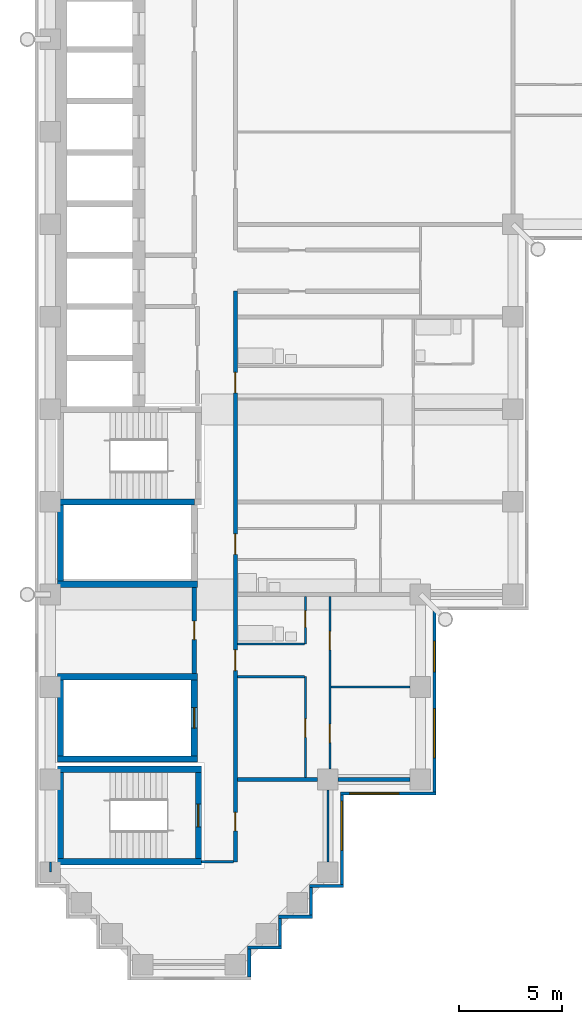
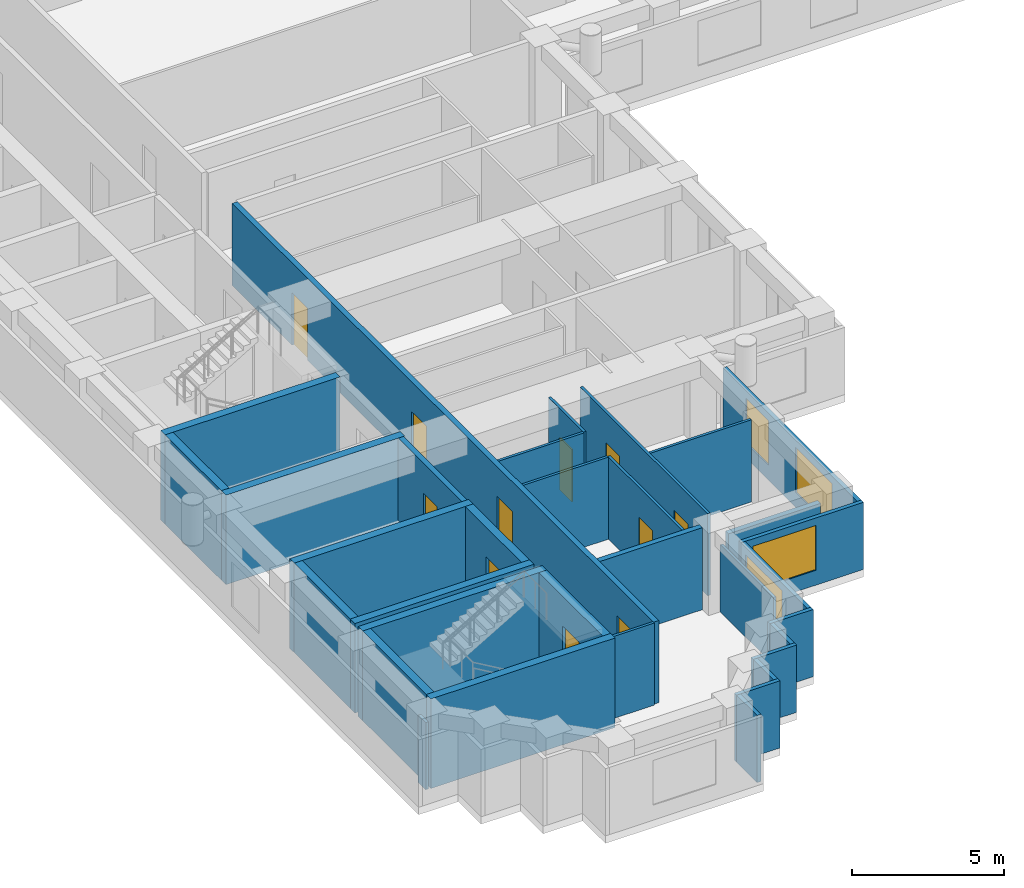
# One storey, part 4 of 14: 33 walls, 11 doors, 4 windows, 15 openings.
"""IFC4 building model written with IfcOpenShell, lengths in metres."""

from ifc_helpers import new_model, si_unit, direction, frame, frame_2d, origin, place, context, subcontext, project, spatial, rectangle, extrude, material, layer, layer_set, type_object, element, fill, save


model = new_model("IFC4")

# Units and contexts
model_context = context("Model", 3, precision=1e-05, world=origin(), true_north=direction((0.0, 1.0)))
body_context = subcontext(model_context, "Body", "Model", "MODEL_VIEW")
ifc_project = project(units=[si_unit("LENGTHUNIT", "METRE"), si_unit("AREAUNIT", "SQUARE_METRE"), si_unit("VOLUMEUNIT", "CUBIC_METRE"), si_unit("PLANEANGLEUNIT", "RADIAN"), si_unit("MASSUNIT", "GRAM", prefix="KILO")], contexts=[model_context])

# Site, building, storey
site_placement = place(None, origin())
site = spatial("IfcSite", under=ifc_project, at=site_placement, CompositionType="ELEMENT")
building_placement = place(site_placement, origin())
building = spatial("IfcBuilding", under=site, at=building_placement, Name="Firuza Court", CompositionType="ELEMENT")
storey_placement = place(building_placement, frame((0.0, 0.0, 159.199951171875)))
storey = spatial("IfcBuildingStorey", under=building, at=storey_placement, Name="L40", CompositionType="ELEMENT", Elevation=159.199951171875)

# Walls
ifc_material_1 = material(Name="Moisture-resistant gypsum board partition")
ifc_layer_1 = layer(ifc_material_1, 0.10009765625)
ifc_layer_set_1 = layer_set([ifc_layer_1], Name="Moisture-resistant gypsum board partition")
wall_type_1 = type_object("IfcWallType", Name="Bathroom partition 100", PredefinedType="PLUMBINGWALL", material=ifc_layer_set_1)
wall_1_placement = place(storey_placement, frame((9.10009765625, 15.60009765625, 0.0), z_axis=(0.0, 0.0, 1.0), x_axis=(1.0, 0.0, 0.0)))
element("IfcWall", 1, at=wall_1_placement, inside=storey, type_object=wall_type_1, Name="Bathroom partition 100 L40", PredefinedType="PLUMBINGWALL", context=body_context, shape_type="SweptSolid", body=[
    extrude(rectangle(XDim=3.25, YDim=0.10009765625, at=frame_2d((1.625, 0.0))), origin(), (0.0, 0.0, 1.0), 3.300048828125),
])
ifc_material_2 = material(Name="Concrete C60/75", Category="concrete")
ifc_layer_2 = layer(ifc_material_2, 0.300048828125)
ifc_layer_set_2 = layer_set([ifc_layer_2], Name="Concrete C60/75")
wall_type_2 = type_object("IfcWallType", Name="Core wall 300 C60/75", PredefinedType="SHEAR", material=ifc_layer_set_2)
for number, where, z_axis, x_axis, name in (
    (2, (0.35009765625, 5.0, -0.300048828125), (0.0, 0.0, 1.0), (1.0, 0.0, 0.0), "Core wall stair L40"),
    (3, (0.35009765625, 9.5, -0.300048828125), (0.0, 0.0, 1.0), (1.0, 0.0, 0.0), "Core wall stair L40"),
):
    element("IfcWall", number, at=place(storey_placement, frame(where, z_axis=z_axis, x_axis=x_axis)), inside=storey, type_object=wall_type_2, Name=name, PredefinedType="SHEAR", context=body_context, shape_type="SweptSolid", body=[
        extrude(rectangle(XDim=7.0, YDim=0.300048828125, at=frame_2d((3.5, 0.0))), origin(), (0.0, 0.0, 1.0), 3.60009765625),
    ])
for number, where, z_axis, x_axis, name in (
    (4, (0.35009765625, 10.0, -0.300048828125), (0.0, 0.0, 1.0), (1.0, 0.0, 0.0), "Core wall riser L40"),
    (5, (0.35009765625, 14.0, -0.300048828125), (0.0, 0.0, 1.0), (1.0, 0.0, 0.0), "Core wall riser L40"),
    (6, (0.35009765625, 18.5, -0.300048828125), (0.0, 0.0, 1.0), (1.0, 0.0, 0.0), "Core wall riser L40"),
):
    element("IfcWall", number, at=place(storey_placement, frame(where, z_axis=z_axis, x_axis=x_axis)), inside=storey, type_object=wall_type_2, Name=name, PredefinedType="SHEAR", context=body_context, shape_type="SweptSolid", body=[
        extrude(rectangle(XDim=6.7998046875, YDim=0.300048828125, at=frame_2d((3.39990234375, 0.0))), origin(), (0.0, 0.0, 1.0), 3.60009765625),
    ])
wall_2_placement = place(storey_placement, frame((0.35009765625, 22.5, -0.300048828125), z_axis=(0.0, 0.0, 1.0), x_axis=(1.0, 0.0, 0.0)))
element("IfcWall", 7, at=wall_2_placement, inside=storey, type_object=wall_type_2, Name="Core wall riser L40", PredefinedType="SHEAR", context=body_context, shape_type="SweptSolid", body=[
    extrude(rectangle(XDim=6.64990234375, YDim=0.300048828125, at=frame_2d((3.324951171875, 0.0))), origin(), (0.0, 0.0, 1.0), 3.60009765625),
])
wall_3_placement = place(storey_placement, frame((0.5, 5.14990234375, -0.300048828125), z_axis=(0.0, 0.0, 1.0), x_axis=(0.0, 1.0, 0.0)))
element("IfcWall", 8, at=wall_3_placement, inside=storey, type_object=wall_type_2, Name="Core wall stair L40", PredefinedType="SHEAR", context=body_context, shape_type="SweptSolid", body=[
    extrude(rectangle(XDim=4.2001953125, YDim=0.300048828125, at=frame_2d((2.10009765625, 0.0))), origin(), (0.0, 0.0, 1.0), 3.60009765625),
])
for number, where, z_axis, x_axis, name in (
    (9, (0.5, 10.14990234375, -0.300048828125), (0.0, 0.0, 1.0), (0.0, 1.0, 0.0), "Core wall riser L40"),
    (10, (0.5, 18.64990234375, -0.300048828125), (0.0, 0.0, 1.0), (0.0, 1.0, 0.0), "Core wall riser L40"),
):
    element("IfcWall", number, at=place(storey_placement, frame(where, z_axis=z_axis, x_axis=x_axis)), inside=storey, type_object=wall_type_2, Name=name, PredefinedType="SHEAR", context=body_context, shape_type="SweptSolid", body=[
        extrude(rectangle(XDim=3.7001953125, YDim=0.300048828125, at=frame_2d((1.85009765625, 0.0))), origin(), (0.0, 0.0, 1.0), 3.60009765625),
    ])

# Wall, opening, door
wall_4_placement = place(storey_placement, frame((7.0, 10.14990234375, -0.300048828125), z_axis=(0.0, 0.0, 1.0), x_axis=(0.0, 1.0, 0.0)))
wall_4 = element("IfcWall", 11, at=wall_4_placement, inside=storey, type_object=wall_type_2, Name="Core wall riser L40", PredefinedType="SHEAR", context=body_context, shape_type="SweptSolid", body=[
    extrude(rectangle(XDim=3.7001953125, YDim=0.300048828125, at=frame_2d((1.85009765625, 0.0))), origin(), (0.0, 0.0, 1.0), 3.60009765625),
])
opening_1_placement = place(wall_4_placement, frame((1.35009765625, 0.0, 0.300048828125)))
opening_1 = element("IfcOpeningElement", 12, at=opening_1_placement, cuts=wall_4, Name="Opening D40011", PredefinedType="OPENING", context=body_context, shape_type="SweptSolid", body=[
    extrude(rectangle(XDim=1.0, YDim=2.10009765625, at=frame_2d((0.5, 1.050048828125))), frame((0.0, 0.162109375, 0.0), z_axis=(0.0, -1.0, 0.0), x_axis=(1.0, 0.0, 0.0)), (0.0, 0.0, 1.0), 0.323974609375),
])
ifc_material_3 = material(Name="Timber door leaf in hardwood frame", Category="wood")
door_type_1 = type_object("IfcDoorType", Name="Riser door 1000", OperationType="SINGLE_SWING_LEFT", PredefinedType="DOOR", material=ifc_material_3)
door_1_placement = place(opening_1_placement, origin())
door_1 = element("IfcDoor", 13, at=door_1_placement, inside=storey, type_object=door_type_1, Name="Riser door R4", OperationType="SINGLE_SWING_LEFT", OverallHeight=2.10009765625, OverallWidth=1.0, PredefinedType="DOOR", context=body_context, shape_type="SweptSolid", body=[
    extrude(rectangle(XDim=1.0, YDim=2.10009765625, at=frame_2d((0.5, 1.050048828125))), frame((0.0, 0.02490234375, 0.0), z_axis=(0.0, -1.0, 0.0), x_axis=(1.0, 0.0, 0.0)), (0.0, 0.0, 1.0), 0.050048828125),
])
fill(opening_1, door_1)

wall_5_placement = place(storey_placement, frame((7.199951171875, 5.14990234375, -0.300048828125), z_axis=(0.0, 0.0, 1.0), x_axis=(0.0, 1.0, 0.0)))
wall_5 = element("IfcWall", 14, at=wall_5_placement, inside=storey, type_object=wall_type_2, Name="Core wall stair L40", PredefinedType="SHEAR", context=body_context, shape_type="SweptSolid", body=[
    extrude(rectangle(XDim=4.2001953125, YDim=0.300048828125, at=frame_2d((2.10009765625, 0.0))), origin(), (0.0, 0.0, 1.0), 3.60009765625),
])
opening_2_placement = place(wall_5_placement, frame((1.550048828125, 0.0, 0.300048828125)))
opening_2 = element("IfcOpeningElement", 15, at=opening_2_placement, cuts=wall_5, Name="Opening D40017", PredefinedType="OPENING", context=body_context, shape_type="SweptSolid", body=[
    extrude(rectangle(XDim=1.10009765625, YDim=2.10009765625, at=frame_2d((0.550048828125, 1.050048828125))), frame((0.0, 0.162109375, 0.0), z_axis=(0.0, -1.0, 0.0), x_axis=(1.0, 0.0, 0.0)), (0.0, 0.0, 1.0), 0.323974609375),
])
ifc_material_4 = material(Name="Timber door leaf in hardwood frame", Category="wood")
door_type_2 = type_object("IfcDoorType", Name="Stair door 1100", OperationType="SINGLE_SWING_LEFT", PredefinedType="DOOR", material=ifc_material_4)
door_2_placement = place(opening_2_placement, origin())
door_2 = element("IfcDoor", 16, at=door_2_placement, inside=storey, type_object=door_type_2, Name="Stair door S5", OperationType="SINGLE_SWING_LEFT", OverallHeight=2.10009765625, OverallWidth=1.10009765625, PredefinedType="DOOR", context=body_context, shape_type="SweptSolid", body=[
    extrude(rectangle(XDim=1.10009765625, YDim=2.10009765625, at=frame_2d((0.550048828125, 1.050048828125))), frame((0.0, 0.02490234375, 0.0), z_axis=(0.0, -1.0, 0.0), x_axis=(1.0, 0.0, 0.0)), (0.0, 0.0, 1.0), 0.050048828125),
])
fill(opening_2, door_2)

# Wall, openings, doors
ifc_material_5 = material(Name="Blockwork, plastered both sides", Category="masonry")
ifc_layer_3 = layer(ifc_material_5, 0.199951171875)
ifc_layer_set_3 = layer_set([ifc_layer_3], Name="Blockwork, plastered both sides")
wall_type_3 = type_object("IfcWallType", Name="Corridor wall 200", PredefinedType="PARTITIONING", material=ifc_layer_set_3)
wall_6_placement = place(storey_placement, frame((9.0, 5.0, 0.0), z_axis=(0.0, 0.0, 1.0), x_axis=(0.0, 1.0, 0.0)))
wall_6 = element("IfcWall", 17, at=wall_6_placement, inside=storey, type_object=wall_type_3, Name="Corridor wall 200 L40", PredefinedType="PARTITIONING", context=body_context, shape_type="SweptSolid", body=[
    extrude(rectangle(XDim=27.75, YDim=0.199951171875, at=frame_2d((13.875, 0.0))), origin(), (0.0, 0.0, 1.0), 3.300048828125),
])
opening_3_placement = place(wall_6_placement, frame((22.800048828125, 0.0, 0.0)))
opening_3 = element("IfcOpeningElement", 18, at=opening_3_placement, cuts=wall_6, Name="Opening D40018", PredefinedType="OPENING", context=body_context, shape_type="SweptSolid", body=[
    extrude(rectangle(XDim=1.0, YDim=2.10009765625, at=frame_2d((0.5, 1.050048828125))), frame((0.0, 0.11181640625, 0.0), z_axis=(0.0, -1.0, 0.0), x_axis=(1.0, 0.0, 0.0)), (0.0, 0.0, 1.0), 0.223876953125),
])
opening_4_placement = place(wall_6_placement, frame((14.949951171875, 0.0, 0.0)))
opening_4 = element("IfcOpeningElement", 19, at=opening_4_placement, cuts=wall_6, Name="Opening D40019", PredefinedType="OPENING", context=body_context, shape_type="SweptSolid", body=[
    extrude(rectangle(XDim=1.0, YDim=2.10009765625, at=frame_2d((0.5, 1.050048828125))), frame((0.0, 0.11181640625, 0.0), z_axis=(0.0, -1.0, 0.0), x_axis=(1.0, 0.0, 0.0)), (0.0, 0.0, 1.0), 0.223876953125),
])
opening_5_placement = place(wall_6_placement, frame((9.300048828125, 0.0, 0.0)))
opening_5 = element("IfcOpeningElement", 20, at=opening_5_placement, cuts=wall_6, Name="Opening D40020", PredefinedType="OPENING", context=body_context, shape_type="SweptSolid", body=[
    extrude(rectangle(XDim=1.0, YDim=2.10009765625, at=frame_2d((0.5, 1.050048828125))), frame((0.0, 0.11181640625, 0.0), z_axis=(0.0, -1.0, 0.0), x_axis=(1.0, 0.0, 0.0)), (0.0, 0.0, 1.0), 0.223876953125),
])
opening_6_placement = place(wall_6_placement, frame((1.5, 0.0, 0.0)))
opening_6 = element("IfcOpeningElement", 21, at=opening_6_placement, cuts=wall_6, Name="Opening D40021", PredefinedType="OPENING", context=body_context, shape_type="SweptSolid", body=[
    extrude(rectangle(XDim=0.89990234375, YDim=2.10009765625, at=frame_2d((0.449951171875, 1.050048828125))), frame((0.0, 0.11181640625, 0.0), z_axis=(0.0, -1.0, 0.0), x_axis=(1.0, 0.0, 0.0)), (0.0, 0.0, 1.0), 0.223876953125),
])
ifc_material_6 = material(Name="Timber door leaf in hardwood frame", Category="wood")
door_type_3 = type_object("IfcDoorType", Name="Flat entrance door 1000", OperationType="SINGLE_SWING_LEFT", PredefinedType="DOOR", material=ifc_material_6)
door_3_placement = place(opening_3_placement, origin())
door_3 = element("IfcDoor", 22, at=door_3_placement, inside=storey, type_object=door_type_3, Name="Flat entrance door", OperationType="SINGLE_SWING_LEFT", OverallHeight=2.10009765625, OverallWidth=1.0, PredefinedType="DOOR", context=body_context, shape_type="SweptSolid", body=[
    extrude(rectangle(XDim=1.0, YDim=2.10009765625, at=frame_2d((0.5, 1.050048828125))), frame((0.0, 0.02490234375, 0.0), z_axis=(0.0, -1.0, 0.0), x_axis=(1.0, 0.0, 0.0)), (0.0, 0.0, 1.0), 0.050048828125),
])
fill(opening_3, door_3)
door_4_placement = place(opening_4_placement, origin())
door_4 = element("IfcDoor", 23, at=door_4_placement, inside=storey, type_object=door_type_3, Name="Flat entrance door", OperationType="SINGLE_SWING_LEFT", OverallHeight=2.10009765625, OverallWidth=1.0, PredefinedType="DOOR", context=body_context, shape_type="SweptSolid", body=[
    extrude(rectangle(XDim=1.0, YDim=2.10009765625, at=frame_2d((0.5, 1.050048828125))), frame((0.0, 0.02490234375, 0.0), z_axis=(0.0, -1.0, 0.0), x_axis=(1.0, 0.0, 0.0)), (0.0, 0.0, 1.0), 0.050048828125),
])
fill(opening_4, door_4)
door_5_placement = place(opening_5_placement, origin())
door_5 = element("IfcDoor", 24, at=door_5_placement, inside=storey, type_object=door_type_3, Name="Flat entrance door", OperationType="SINGLE_SWING_LEFT", OverallHeight=2.10009765625, OverallWidth=1.0, PredefinedType="DOOR", context=body_context, shape_type="SweptSolid", body=[
    extrude(rectangle(XDim=1.0, YDim=2.10009765625, at=frame_2d((0.5, 1.050048828125))), frame((0.0, 0.02490234375, 0.0), z_axis=(0.0, -1.0, 0.0), x_axis=(1.0, 0.0, 0.0)), (0.0, 0.0, 1.0), 0.050048828125),
])
fill(opening_5, door_5)
ifc_material_7 = material(Name="Timber door leaf in hardwood frame", Category="wood")
door_type_4 = type_object("IfcDoorType", Name="Room door 900 EI 30", OperationType="SINGLE_SWING_LEFT", PredefinedType="DOOR", material=ifc_material_7)
door_6_placement = place(opening_6_placement, frame((0.89990234375, 0.0, 0.0), z_axis=(0.0, 0.0, 1.0), x_axis=(-1.0, 0.0, 0.0)))
door_6 = element("IfcDoor", 25, at=door_6_placement, inside=storey, type_object=door_type_4, Name="Music room door", OperationType="SINGLE_SWING_LEFT", OverallHeight=2.10009765625, OverallWidth=0.89990234375, PredefinedType="DOOR", context=body_context, shape_type="SweptSolid", body=[
    extrude(rectangle(XDim=0.89990234375, YDim=2.10009765625, at=frame_2d((0.449951171875, 1.050048828125))), frame((0.0, 0.02490234375, 0.0), z_axis=(0.0, -1.0, 0.0), x_axis=(1.0, 0.0, 0.0)), (0.0, 0.0, 1.0), 0.050048828125),
])
fill(opening_6, door_6)

# Wall, opening, door
wall_7_placement = place(storey_placement, frame((7.0, 14.14990234375, 0.0), z_axis=(0.0, 0.0, 1.0), x_axis=(0.0, 1.0, 0.0)))
wall_7 = element("IfcWall", 26, at=wall_7_placement, inside=storey, type_object=wall_type_3, Name="Corridor wall 200 L40", PredefinedType="PARTITIONING", context=body_context, shape_type="SweptSolid", body=[
    extrude(rectangle(XDim=4.2001953125, YDim=0.199951171875, at=frame_2d((2.10009765625, 0.0))), origin(), (0.0, 0.0, 1.0), 3.300048828125),
])
opening_7_placement = place(wall_7_placement, frame((1.64990234375, 0.0, 0.0)))
opening_7 = element("IfcOpeningElement", 27, at=opening_7_placement, cuts=wall_7, Name="Opening D40025", PredefinedType="OPENING", context=body_context, shape_type="SweptSolid", body=[
    extrude(rectangle(XDim=0.89990234375, YDim=2.10009765625, at=frame_2d((0.449951171875, 1.050048828125))), frame((0.0, 0.11181640625, 0.0), z_axis=(0.0, -1.0, 0.0), x_axis=(1.0, 0.0, 0.0)), (0.0, 0.0, 1.0), 0.223876953125),
])
door_7_placement = place(opening_7_placement, origin())
door_7 = element("IfcDoor", 28, at=door_7_placement, inside=storey, type_object=door_type_4, Name="Meeting room door", OperationType="SINGLE_SWING_LEFT", OverallHeight=2.10009765625, OverallWidth=0.89990234375, PredefinedType="DOOR", context=body_context, shape_type="SweptSolid", body=[
    extrude(rectangle(XDim=0.89990234375, YDim=2.10009765625, at=frame_2d((0.449951171875, 1.050048828125))), frame((0.0, 0.02490234375, 0.0), z_axis=(0.0, -1.0, 0.0), x_axis=(1.0, 0.0, 0.0)), (0.0, 0.0, 1.0), 0.050048828125),
])
fill(opening_7, door_7)

# Walls
ifc_material_8 = material(Name="Timber stud partition, plasterboard both sides", Category="wood")
ifc_layer_4 = layer(ifc_material_8, 0.10009765625)
ifc_layer_set_4 = layer_set([ifc_layer_4], Name="Timber stud partition, plasterboard both sides")
wall_type_4 = type_object("IfcWallType", Name="Partition wall 100", PredefinedType="PARTITIONING", material=ifc_layer_set_4)
wall_8_placement = place(storey_placement, frame((0.0, 4.5, 0.0), z_axis=(0.0, 0.0, 1.0), x_axis=(0.0, 1.0, 0.0)))
element("IfcWall", 29, at=wall_8_placement, inside=storey, type_object=wall_type_4, Name="Partition wall 100 L40", PredefinedType="PARTITIONING", context=body_context, shape_type="SweptSolid", body=[
    extrude(rectangle(XDim=0.5, YDim=0.10009765625, at=frame_2d((0.25, 0.0))), origin(), (0.0, 0.0, 1.0), 2.699951171875),
])
wall_9_placement = place(storey_placement, frame((7.34912109375, 5.0, 0.0), z_axis=(0.0, 0.0, 1.0), x_axis=(1.0, 0.0, 0.0)))
element("IfcWall", 30, at=wall_9_placement, inside=storey, type_object=wall_type_4, Name="Partition wall 100 L40", PredefinedType="PARTITIONING", context=body_context, shape_type="SweptSolid", body=[
    extrude(rectangle(XDim=1.55078125, YDim=0.10009765625, at=frame_2d((0.775390625, 0.0))), origin(), (0.0, 0.0, 1.0), 3.300048828125),
])
wall_10_placement = place(storey_placement, frame((13.5, 5.0, 0.0), z_axis=(0.0, 0.0, 1.0), x_axis=(0.0, 1.0, 0.0)))
element("IfcWall", 31, at=wall_10_placement, inside=storey, type_object=wall_type_4, Name="Partition wall 100 L40", PredefinedType="PARTITIONING", context=body_context, shape_type="SweptSolid", body=[
    extrude(rectangle(XDim=3.5, YDim=0.10009765625, at=frame_2d((1.75, 0.0))), origin(), (0.0, 0.0, 1.0), 2.699951171875),
])

# Wall, opening, door
wall_11_placement = place(storey_placement, frame((12.39990234375, 9.10009765625, 0.0), z_axis=(0.0, 0.0, 1.0), x_axis=(0.0, 1.0, 0.0)))
wall_11 = element("IfcWall", 32, at=wall_11_placement, inside=storey, type_object=wall_type_4, Name="Partition wall 100 L40", PredefinedType="PARTITIONING", context=body_context, shape_type="SweptSolid", body=[
    extrude(rectangle(XDim=4.89990234375, YDim=0.10009765625, at=frame_2d((2.449951171875, 0.0))), origin(), (0.0, 0.0, 1.0), 3.300048828125),
])
opening_8_placement = place(wall_11_placement, frame((1.949951171875, 0.0, 0.0)))
opening_8 = element("IfcOpeningElement", 33, at=opening_8_placement, cuts=wall_11, Name="Opening D40022", PredefinedType="OPENING", context=body_context, shape_type="SweptSolid", body=[
    extrude(rectangle(XDim=0.89990234375, YDim=2.10009765625, at=frame_2d((0.449951171875, 1.050048828125))), frame((0.0, 0.06201171875, 0.0), z_axis=(0.0, -1.0, 0.0), x_axis=(1.0, 0.0, 0.0)), (0.0, 0.0, 1.0), 0.1240234375),
])
ifc_material_9 = material(Name="Timber door leaf in hardwood frame", Category="wood")
door_type_5 = type_object("IfcDoorType", Name="Room door 900", OperationType="SINGLE_SWING_LEFT", PredefinedType="DOOR", material=ifc_material_9)
door_8_placement = place(opening_8_placement, origin())
door_8 = element("IfcDoor", 34, at=door_8_placement, inside=storey, type_object=door_type_5, Name="Kitchen door", OperationType="SINGLE_SWING_LEFT", OverallHeight=2.10009765625, OverallWidth=0.89990234375, PredefinedType="DOOR", context=body_context, shape_type="SweptSolid", body=[
    extrude(rectangle(XDim=0.89990234375, YDim=2.10009765625, at=frame_2d((0.449951171875, 1.050048828125))), frame((0.0, 0.02490234375, 0.0), z_axis=(0.0, -1.0, 0.0), x_axis=(1.0, 0.0, 0.0)), (0.0, 0.0, 1.0), 0.050048828125),
])
fill(opening_8, door_8)

# Wall, openings, doors
wall_12_placement = place(storey_placement, frame((13.60009765625, 9.5, 0.0), z_axis=(0.0, 0.0, 1.0), x_axis=(0.0, 1.0, 0.0)))
wall_12 = element("IfcWall", 35, at=wall_12_placement, inside=storey, type_object=wall_type_4, Name="Partition wall 100 L40", PredefinedType="PARTITIONING", context=body_context, shape_type="SweptSolid", body=[
    extrude(rectangle(XDim=8.39990234375, YDim=0.10009765625, at=frame_2d((4.199951171875, 0.0))), origin(), (0.0, 0.0, 1.0), 3.300048828125),
])
opening_9_placement = place(wall_12_placement, frame((1.300048828125, 0.0, 0.0)))
opening_9 = element("IfcOpeningElement", 36, at=opening_9_placement, cuts=wall_12, Name="Opening D40023", PredefinedType="OPENING", context=body_context, shape_type="SweptSolid", body=[
    extrude(rectangle(XDim=0.89990234375, YDim=2.10009765625, at=frame_2d((0.449951171875, 1.050048828125))), frame((0.0, 0.06201171875, 0.0), z_axis=(0.0, -1.0, 0.0), x_axis=(1.0, 0.0, 0.0)), (0.0, 0.0, 1.0), 0.1240234375),
])
opening_10_placement = place(wall_12_placement, frame((5.800048828125, 0.0, 0.0)))
opening_10 = element("IfcOpeningElement", 37, at=opening_10_placement, cuts=wall_12, Name="Opening D40024", PredefinedType="OPENING", context=body_context, shape_type="SweptSolid", body=[
    extrude(rectangle(XDim=0.89990234375, YDim=2.10009765625, at=frame_2d((0.449951171875, 1.050048828125))), frame((0.0, 0.06201171875, 0.0), z_axis=(0.0, -1.0, 0.0), x_axis=(1.0, 0.0, 0.0)), (0.0, 0.0, 1.0), 0.1240234375),
])
door_9_placement = place(opening_9_placement, frame((0.89990234375, 0.0, 0.0), z_axis=(0.0, 0.0, 1.0), x_axis=(-1.0, 0.0, 0.0)))
door_9 = element("IfcDoor", 38, at=door_9_placement, inside=storey, type_object=door_type_5, Name="Living room door", OperationType="SINGLE_SWING_RIGHT", OverallHeight=2.10009765625, OverallWidth=0.89990234375, PredefinedType="DOOR", context=body_context, shape_type="SweptSolid", body=[
    extrude(rectangle(XDim=0.89990234375, YDim=2.10009765625, at=frame_2d((0.449951171875, 1.050048828125))), frame((0.0, 0.02490234375, 0.0), z_axis=(0.0, -1.0, 0.0), x_axis=(1.0, 0.0, 0.0)), (0.0, 0.0, 1.0), 0.050048828125),
])
fill(opening_9, door_9)
door_10_placement = place(opening_10_placement, frame((0.89990234375, 0.0, 0.0), z_axis=(0.0, 0.0, 1.0), x_axis=(-1.0, 0.0, 0.0)))
door_10 = element("IfcDoor", 39, at=door_10_placement, inside=storey, type_object=door_type_5, Name="Bedroom door", OperationType="SINGLE_SWING_RIGHT", OverallHeight=2.10009765625, OverallWidth=0.89990234375, PredefinedType="DOOR", context=body_context, shape_type="SweptSolid", body=[
    extrude(rectangle(XDim=0.89990234375, YDim=2.10009765625, at=frame_2d((0.449951171875, 1.050048828125))), frame((0.0, 0.02490234375, 0.0), z_axis=(0.0, -1.0, 0.0), x_axis=(1.0, 0.0, 0.0)), (0.0, 0.0, 1.0), 0.050048828125),
])
fill(opening_10, door_10)

# Walls
wall_13_placement = place(storey_placement, frame((13.64990234375, 13.5, 0.0), z_axis=(0.0, 0.0, 1.0), x_axis=(1.0, 0.0, 0.0)))
element("IfcWall", 40, at=wall_13_placement, inside=storey, type_object=wall_type_4, Name="Partition wall 100 L40", PredefinedType="PARTITIONING", context=body_context, shape_type="SweptSolid", body=[
    extrude(rectangle(XDim=3.85009765625, YDim=0.10009765625, at=frame_2d((1.925048828125, 0.0))), origin(), (0.0, 0.0, 1.0), 3.300048828125),
])
wall_14_placement = place(storey_placement, frame((9.10009765625, 14.0, 0.0), z_axis=(0.0, 0.0, 1.0), x_axis=(1.0, 0.0, 0.0)))
element("IfcWall", 41, at=wall_14_placement, inside=storey, type_object=wall_type_4, Name="Partition wall 100 L40", PredefinedType="PARTITIONING", context=body_context, shape_type="SweptSolid", body=[
    extrude(rectangle(XDim=3.25, YDim=0.10009765625, at=frame_2d((1.625, 0.0))), origin(), (0.0, 0.0, 1.0), 3.300048828125),
])

# Wall, opening, door
wall_15_placement = place(storey_placement, frame((12.39990234375, 15.60009765625, 0.0), z_axis=(0.0, 0.0, 1.0), x_axis=(0.0, 1.0, 0.0)))
wall_15 = element("IfcWall", 42, at=wall_15_placement, inside=storey, type_object=wall_type_4, Name="Partition wall 100 L40", PredefinedType="PARTITIONING", context=body_context, shape_type="SweptSolid", body=[
    extrude(rectangle(XDim=2.2998046875, YDim=0.10009765625, at=frame_2d((1.14990234375, 0.0))), origin(), (0.0, 0.0, 1.0), 3.300048828125),
])
opening_11_placement = place(wall_15_placement, frame((0.800048828125, 0.0, 0.0)))
opening_11 = element("IfcOpeningElement", 43, at=opening_11_placement, cuts=wall_15, Name="Opening D40026", PredefinedType="OPENING", context=body_context, shape_type="SweptSolid", body=[
    extrude(rectangle(XDim=0.800048828125, YDim=2.10009765625, at=frame_2d((0.39990234375, 1.050048828125))), frame((0.0, 0.06201171875, 0.0), z_axis=(0.0, -1.0, 0.0), x_axis=(1.0, 0.0, 0.0)), (0.0, 0.0, 1.0), 0.1240234375),
])
ifc_material_10 = material(Name="Timber door leaf in hardwood frame", Category="wood")
door_type_6 = type_object("IfcDoorType", Name="Bathroom door 800", OperationType="SINGLE_SWING_LEFT", PredefinedType="DOOR", material=ifc_material_10)
door_11_placement = place(opening_11_placement, origin())
door_11 = element("IfcDoor", 44, at=door_11_placement, inside=storey, type_object=door_type_6, Name="Bathroom door", OperationType="SINGLE_SWING_LEFT", OverallHeight=2.10009765625, OverallWidth=0.800048828125, PredefinedType="DOOR", context=body_context, shape_type="SweptSolid", body=[
    extrude(rectangle(XDim=0.800048828125, YDim=2.10009765625, at=frame_2d((0.39990234375, 1.050048828125))), frame((0.0, 0.02490234375, 0.0), z_axis=(0.0, -1.0, 0.0), x_axis=(1.0, 0.0, 0.0)), (0.0, 0.0, 1.0), 0.050048828125),
])
fill(opening_11, door_11)

# Walls
ifc_layer_5 = layer(ifc_material_5, 0.199951171875)
ifc_layer_set_5 = layer_set([ifc_layer_5], Name="Blockwork, plastered both sides")
wall_type_5 = type_object("IfcWallType", Name="Party wall 200", PredefinedType="PARTITIONING", material=ifc_layer_set_5)
wall_16_placement = place(storey_placement, frame((9.10009765625, 9.0, 0.0), z_axis=(0.0, 0.0, 1.0), x_axis=(1.0, 0.0, 0.0)))
element("IfcWall", 45, at=wall_16_placement, inside=storey, type_object=wall_type_5, Name="Party wall 200 L40", PredefinedType="PARTITIONING", context=body_context, shape_type="SweptSolid", body=[
    extrude(rectangle(XDim=3.89990234375, YDim=0.199951171875, at=frame_2d((1.949951171875, 0.0))), origin(), (0.0, 0.0, 1.0), 3.300048828125),
])
wall_17_placement = place(storey_placement, frame((14.0, 9.0, 0.0), z_axis=(0.0, 0.0, 1.0), x_axis=(1.0, 0.0, 0.0)))
element("IfcWall", 46, at=wall_17_placement, inside=storey, type_object=wall_type_5, Name="Party wall 200 L40", PredefinedType="PARTITIONING", context=body_context, shape_type="SweptSolid", body=[
    extrude(rectangle(XDim=3.5, YDim=0.199951171875, at=frame_2d((1.75, 0.0))), origin(), (0.0, 0.0, 1.0), 2.699951171875),
])
ifc_material_11 = material(Name="Ceramic tile", Category="ceramic")
ifc_layer_6 = layer(ifc_material_11, 0.02001953125)
ifc_material_12 = material(Name="Mineral wool insulation", Category="insulation")
ifc_layer_7 = layer(ifc_material_12, 0.050048828125)
ifc_material_13 = material(Name="Concrete C40/50 precast", Category="concrete")
ifc_layer_8 = layer(ifc_material_13, 0.080078125)
ifc_layer_set_6 = layer_set([ifc_layer_6, ifc_layer_7, ifc_layer_8], Name="Concrete C40/50 precast")
wall_type_6 = type_object("IfcWallType", Name="Precast cladding wall with turquoise TILE PANEL face 150", PredefinedType="STANDARD", material=ifc_layer_set_6)
wall_18_placement = place(storey_placement, frame((9.675048828125, -0.60009765625, 0.0), z_axis=(0.0, 0.0, 1.0), x_axis=(0.0, 1.0, 0.0)))
element("IfcWall", 47, at=wall_18_placement, inside=storey, type_object=wall_type_6, Name="Facade wall L40 E", PredefinedType="STANDARD", context=body_context, shape_type="SweptSolid", body=[
    extrude(rectangle(XDim=1.35009765625, YDim=0.14990234375, at=frame_2d((0.675048828125, 0.0))), origin(), (0.0, 0.0, 1.0), 2.699951171875),
])
wall_19_placement = place(storey_placement, frame((9.60009765625, 0.824951171875, 0.0), z_axis=(0.0, 0.0, 1.0), x_axis=(1.0, 0.0, 0.0)))
element("IfcWall", 48, at=wall_19_placement, inside=storey, type_object=wall_type_6, Name="Facade wall L40 S", PredefinedType="STANDARD", context=body_context, shape_type="SweptSolid", body=[
    extrude(rectangle(XDim=1.64990234375, YDim=0.14990234375, at=frame_2d((0.824951171875, 0.0))), origin(), (0.0, 0.0, 1.0), 2.699951171875),
])
wall_20_placement = place(storey_placement, frame((11.175048828125, 0.89990234375, 0.0), z_axis=(0.0, 0.0, 1.0), x_axis=(0.0, 1.0, 0.0)))
element("IfcWall", 49, at=wall_20_placement, inside=storey, type_object=wall_type_6, Name="Facade wall L40 E", PredefinedType="STANDARD", context=body_context, shape_type="SweptSolid", body=[
    extrude(rectangle(XDim=1.35009765625, YDim=0.14990234375, at=frame_2d((0.675048828125, 0.0))), origin(), (0.0, 0.0, 1.0), 2.699951171875),
])
wall_21_placement = place(storey_placement, frame((11.10009765625, 2.324951171875, 0.0), z_axis=(0.0, 0.0, 1.0), x_axis=(1.0, 0.0, 0.0)))
element("IfcWall", 50, at=wall_21_placement, inside=storey, type_object=wall_type_6, Name="Facade wall L40 S", PredefinedType="STANDARD", context=body_context, shape_type="SweptSolid", body=[
    extrude(rectangle(XDim=1.64990234375, YDim=0.14990234375, at=frame_2d((0.824951171875, 0.0))), origin(), (0.0, 0.0, 1.0), 2.699951171875),
])
wall_22_placement = place(storey_placement, frame((12.675048828125, 2.39990234375, 0.0), z_axis=(0.0, 0.0, 1.0), x_axis=(0.0, 1.0, 0.0)))
element("IfcWall", 51, at=wall_22_placement, inside=storey, type_object=wall_type_6, Name="Facade wall L40 E", PredefinedType="STANDARD", context=body_context, shape_type="SweptSolid", body=[
    extrude(rectangle(XDim=1.35009765625, YDim=0.14990234375, at=frame_2d((0.675048828125, 0.0))), origin(), (0.0, 0.0, 1.0), 2.699951171875),
])
wall_23_placement = place(storey_placement, frame((12.60009765625, 3.824951171875, 0.0), z_axis=(0.0, 0.0, 1.0), x_axis=(1.0, 0.0, 0.0)))
element("IfcWall", 52, at=wall_23_placement, inside=storey, type_object=wall_type_6, Name="Facade wall L40 S", PredefinedType="STANDARD", context=body_context, shape_type="SweptSolid", body=[
    extrude(rectangle(XDim=1.64990234375, YDim=0.14990234375, at=frame_2d((0.824951171875, 0.0))), origin(), (0.0, 0.0, 1.0), 2.699951171875),
])

# Wall, opening, window
wall_24_placement = place(storey_placement, frame((14.175048828125, 3.89990234375, 0.0), z_axis=(0.0, 0.0, 1.0), x_axis=(0.0, 1.0, 0.0)))
wall_24 = element("IfcWall", 53, at=wall_24_placement, inside=storey, type_object=wall_type_6, Name="Facade wall L40 E", PredefinedType="STANDARD", context=body_context, shape_type="SweptSolid", body=[
    extrude(rectangle(XDim=4.35009765625, YDim=0.14990234375, at=frame_2d((2.175048828125, 0.0))), origin(), (0.0, 0.0, 1.0), 2.699951171875),
])
opening_12_placement = place(wall_24_placement, frame((1.64990234375, 0.0, 0.60009765625)))
opening_12 = element("IfcOpeningElement", 54, at=opening_12_placement, cuts=wall_24, Name="Opening W1", PredefinedType="OPENING", context=body_context, shape_type="SweptSolid", body=[
    extrude(rectangle(XDim=2.39990234375, YDim=1.800048828125, at=frame_2d((1.199951171875, 0.89990234375))), frame((0.0, 0.0869140625, 0.0), z_axis=(0.0, -1.0, 0.0), x_axis=(1.0, 0.0, 0.0)), (0.0, 0.0, 1.0), 0.173828125),
])
ifc_material_14 = material(Name="Aluminium frame, triple clear glazing", Category="aluminium")
window_type_1 = type_object("IfcWindowType", Name="Window W1 2400 x 1800", PartitioningType="SINGLE_PANEL", PredefinedType="WINDOW", material=ifc_material_14)
window_1_placement = place(opening_12_placement, origin())
window_1 = element("IfcWindow", 55, at=window_1_placement, inside=storey, type_object=window_type_1, Name="Window L40", OverallHeight=1.800048828125, OverallWidth=2.39990234375, PartitioningType="SINGLE_PANEL", PredefinedType="WINDOW", context=body_context, shape_type="SweptSolid", body=[
    extrude(rectangle(XDim=2.39990234375, YDim=1.800048828125, at=frame_2d((1.199951171875, 0.89990234375))), frame((0.0, 0.030029296875, 0.0), z_axis=(0.0, -1.0, 0.0), x_axis=(1.0, 0.0, 0.0)), (0.0, 0.0, 1.0), 0.06005859375),
])
fill(opening_12, window_1)

wall_25_placement = place(storey_placement, frame((14.10009765625, 8.324951171875, 0.0), z_axis=(0.0, 0.0, 1.0), x_axis=(1.0, 0.0, 0.0)))
wall_25 = element("IfcWall", 56, at=wall_25_placement, inside=storey, type_object=wall_type_6, Name="Facade wall L40 S", PredefinedType="STANDARD", context=body_context, shape_type="SweptSolid", body=[
    extrude(rectangle(XDim=4.64990234375, YDim=0.14990234375, at=frame_2d((2.324951171875, 0.0))), origin(), (0.0, 0.0, 1.0), 2.699951171875),
])
opening_13_placement = place(wall_25_placement, frame((0.449951171875, 0.0, 0.60009765625)))
opening_13 = element("IfcOpeningElement", 57, at=opening_13_placement, cuts=wall_25, Name="Opening W1", PredefinedType="OPENING", context=body_context, shape_type="SweptSolid", body=[
    extrude(rectangle(XDim=2.39990234375, YDim=1.800048828125, at=frame_2d((1.199951171875, 0.89990234375))), frame((0.0, 0.0869140625, 0.0), z_axis=(0.0, -1.0, 0.0), x_axis=(1.0, 0.0, 0.0)), (0.0, 0.0, 1.0), 0.173828125),
])
window_2_placement = place(opening_13_placement, origin())
window_2 = element("IfcWindow", 58, at=window_2_placement, inside=storey, type_object=window_type_1, Name="Window L40", OverallHeight=1.800048828125, OverallWidth=2.39990234375, PartitioningType="SINGLE_PANEL", PredefinedType="WINDOW", context=body_context, shape_type="SweptSolid", body=[
    extrude(rectangle(XDim=2.39990234375, YDim=1.800048828125, at=frame_2d((1.199951171875, 0.89990234375))), frame((0.0, 0.030029296875, 0.0), z_axis=(0.0, -1.0, 0.0), x_axis=(1.0, 0.0, 0.0)), (0.0, 0.0, 1.0), 0.06005859375),
])
fill(opening_13, window_2)

# Wall, openings, windows
wall_26_placement = place(storey_placement, frame((18.675048828125, 8.39990234375, 0.0), z_axis=(0.0, 0.0, 1.0), x_axis=(0.0, 1.0, 0.0)))
wall_26 = element("IfcWall", 59, at=wall_26_placement, inside=storey, type_object=wall_type_6, Name="Facade wall L40 E", PredefinedType="STANDARD", context=body_context, shape_type="SweptSolid", body=[
    extrude(rectangle(XDim=8.85009765625, YDim=0.14990234375, at=frame_2d((4.425048828125, 0.0))), origin(), (0.0, 0.0, 1.0), 2.699951171875),
])
opening_14_placement = place(wall_26_placement, frame((1.64990234375, 0.0, 0.60009765625)))
opening_14 = element("IfcOpeningElement", 60, at=opening_14_placement, cuts=wall_26, Name="Opening W1", PredefinedType="OPENING", context=body_context, shape_type="SweptSolid", body=[
    extrude(rectangle(XDim=2.39990234375, YDim=1.800048828125, at=frame_2d((1.199951171875, 0.89990234375))), frame((0.0, 0.0869140625, 0.0), z_axis=(0.0, -1.0, 0.0), x_axis=(1.0, 0.0, 0.0)), (0.0, 0.0, 1.0), 0.173828125),
])
opening_15_placement = place(wall_26_placement, frame((5.831787109375, 0.0, 0.60009765625)))
opening_15 = element("IfcOpeningElement", 61, at=opening_15_placement, cuts=wall_26, Name="Opening W2", PredefinedType="OPENING", context=body_context, shape_type="SweptSolid", body=[
    extrude(rectangle(XDim=1.5, YDim=1.800048828125, at=frame_2d((0.75, 0.89990234375))), frame((0.0, 0.0869140625, 0.0), z_axis=(0.0, -1.0, 0.0), x_axis=(1.0, 0.0, 0.0)), (0.0, 0.0, 1.0), 0.173828125),
])
window_3_placement = place(opening_14_placement, origin())
window_3 = element("IfcWindow", 62, at=window_3_placement, inside=storey, type_object=window_type_1, Name="Window L40", OverallHeight=1.800048828125, OverallWidth=2.39990234375, PartitioningType="SINGLE_PANEL", PredefinedType="WINDOW", context=body_context, shape_type="SweptSolid", body=[
    extrude(rectangle(XDim=2.39990234375, YDim=1.800048828125, at=frame_2d((1.199951171875, 0.89990234375))), frame((0.0, 0.030029296875, 0.0), z_axis=(0.0, -1.0, 0.0), x_axis=(1.0, 0.0, 0.0)), (0.0, 0.0, 1.0), 0.06005859375),
])
fill(opening_14, window_3)
ifc_material_15 = material(Name="Aluminium frame, triple clear glazing", Category="aluminium")
window_type_2 = type_object("IfcWindowType", Name="Window W2 1500 x 1800", PartitioningType="SINGLE_PANEL", PredefinedType="WINDOW", material=ifc_material_15)
window_4_placement = place(opening_15_placement, origin())
window_4 = element("IfcWindow", 63, at=window_4_placement, inside=storey, type_object=window_type_2, Name="Window L40", OverallHeight=1.800048828125, OverallWidth=1.5, PartitioningType="SINGLE_PANEL", PredefinedType="WINDOW", context=body_context, shape_type="SweptSolid", body=[
    extrude(rectangle(XDim=1.5, YDim=1.800048828125, at=frame_2d((0.75, 0.89990234375))), frame((0.0, 0.030029296875, 0.0), z_axis=(0.0, -1.0, 0.0), x_axis=(1.0, 0.0, 0.0)), (0.0, 0.0, 1.0), 0.06005859375),
])
fill(opening_15, window_4)

save(model, "model.ifc")
